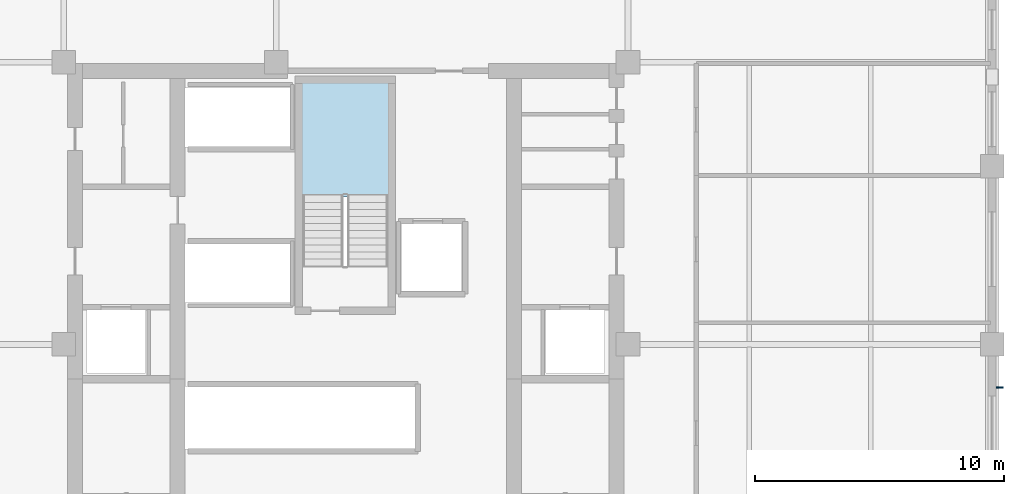
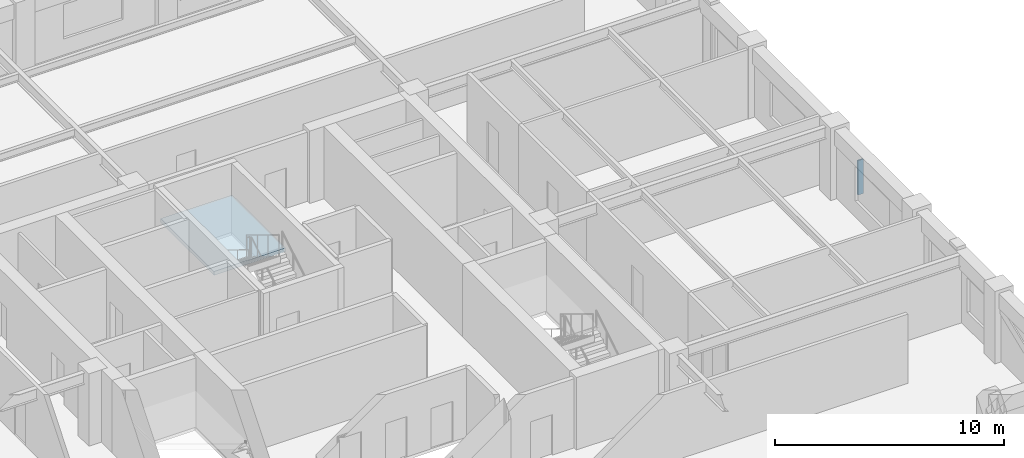
# One storey, part 4 of 9: 1 plate, 1 slab, 1 element without a shape of its own.
"""IFC4 building model written with IfcOpenShell, lengths in metres."""

from ifc_helpers import new_model, si_unit, direction, frame, origin, origin_2d, place, context, subcontext, project, spatial, polyline, rectangle, outline, extrude, material, layer, layer_set, type_object, element, aggregate, save


model = new_model("IFC4")

# Units and contexts
model_context = context("Model", 3, precision=1e-05, world=origin(), true_north=direction((0.0, 1.0)))
body_context = subcontext(model_context, "Body", "Model", "MODEL_VIEW")
ifc_project = project(units=[si_unit("LENGTHUNIT", "METRE"), si_unit("AREAUNIT", "SQUARE_METRE"), si_unit("VOLUMEUNIT", "CUBIC_METRE"), si_unit("PLANEANGLEUNIT", "RADIAN"), si_unit("MASSUNIT", "GRAM", prefix="KILO")], contexts=[model_context])

# Site, building, storey
site_placement = place(None, origin())
site = spatial("IfcSite", under=ifc_project, at=site_placement, CompositionType="ELEMENT")
building_placement = place(site_placement, origin())
building = spatial("IfcBuilding", under=site, at=building_placement, Name="Nhamokura Convention Tower", CompositionType="ELEMENT")
storey_placement = place(building_placement, frame((0.0, 0.0, 149.10009765625)))
storey = spatial("IfcBuildingStorey", under=building, at=storey_placement, Name="L36", CompositionType="ELEMENT", Elevation=149.10009765625)

# Plate
ifc_material_1 = material(Name="Anodised bronze aluminium AA6063-T6", Category="aluminium")
plate_type = type_object("IfcPlateType", Name="BronzeSolarFin_2", PredefinedType="USERDEFINED", material=ifc_material_1)
plate_placement = place(storey_placement, frame((58.300048828125, 30.2666015625, 0.849853515625), z_axis=(0.0, 0.0, 1.0), x_axis=(1.0, 0.0, 0.0)))
element("IfcPlate", 1, at=plate_placement, inside=storey, type_object=plate_type, Name="L36 Bronze Solar Shading Fin EAST 2", ObjectType="SOLAR_FIN", PredefinedType="USERDEFINED", context=body_context, shape_type="SweptSolid", body=[
    extrude(rectangle(XDim=0.280029296875, YDim=0.06005859375, at=origin_2d()), origin(), (0.0, 0.0, 1.0), 1.8349609375),
])

# Stair, slab
ifc_material_2 = material(Name="Concrete C40/50", Category="concrete")
stair_type = type_object("IfcStairType", Name="TowerCoreStair_1650", PredefinedType="HALF_TURN_STAIR", material=ifc_material_2)
stair_placement = place(storey_placement, origin())
stair = element("IfcStair", 2, at=stair_placement, inside=storey, type_object=stair_type, Name="L36 North Core Smokeproof Stair ST-03", PredefinedType="HALF_TURN_STAIR")
ifc_material_3 = material(Name="Concrete C40/50", Category="concrete")
ifc_layer = layer(ifc_material_3, 0.199951171875)
ifc_layer_set = layer_set([ifc_layer], Name="StairLandingSlab_200")
slab_type = type_object("IfcSlabType", Name="StairLandingSlab_200", PredefinedType="LANDING", material=ifc_layer_set)
slab_placement = place(storey_placement, frame((0.0, 0.0, 1.724853515625)))
slab = element("IfcSlab", 3, at=slab_placement, type_object=slab_type, Name="ST-03 landing 1", PredefinedType="LANDING", context=body_context, shape_type="SweptSolid", body=[
    extrude(outline(polyline([(33.780029296875, 37.919921875), (33.780029296875, 42.580078125), (30.169921875, 42.580078125), (30.169921875, 37.919921875), (33.780029296875, 37.919921875)])), origin(), (0.0, 0.0, 1.0), 0.199951171875),
])
aggregate(stair, [slab])

save(model, "model.ifc")
